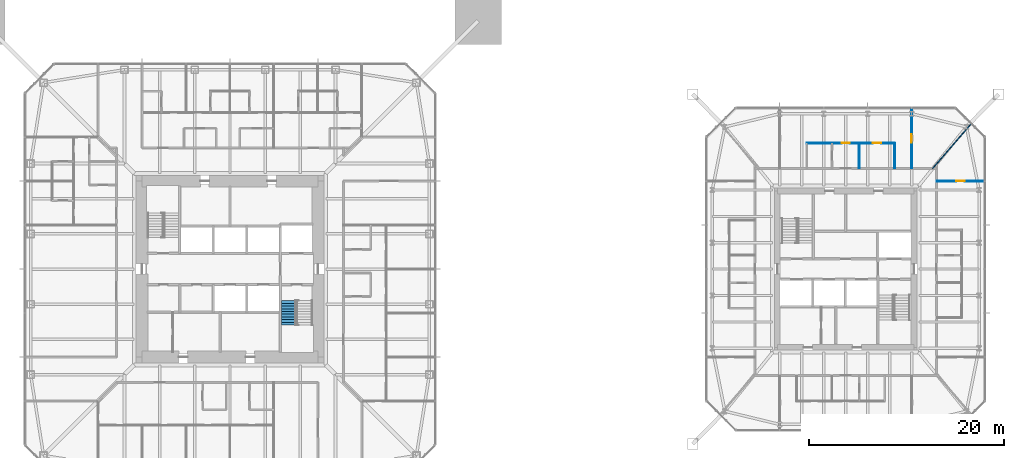
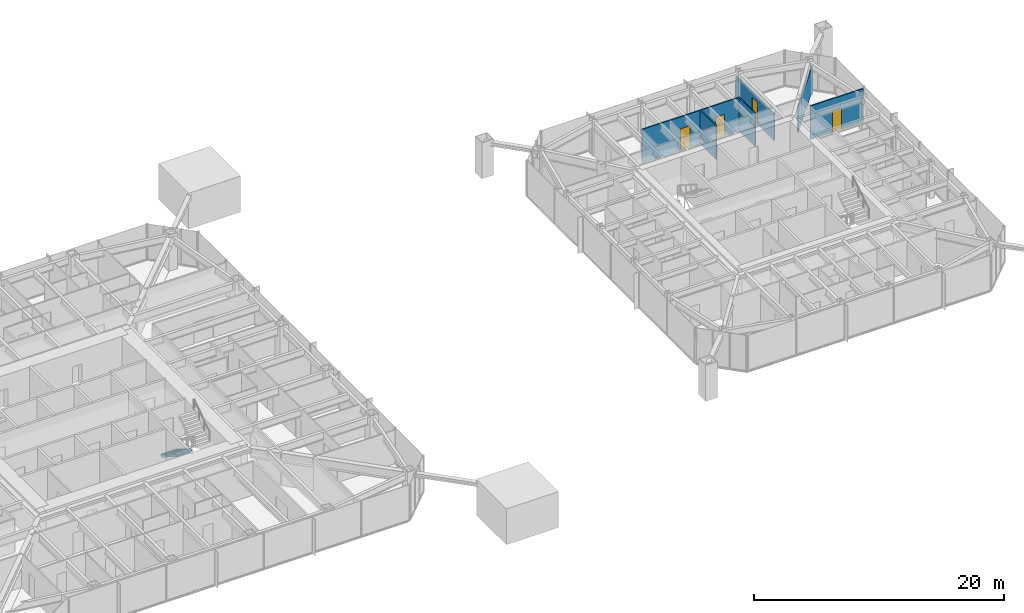
# One storey, part 19 of 25: 6 walls, 4 doors, 1 stair flight, 4 openings, 1 element without a shape of its own.
"""IFC4 building model written with IfcOpenShell, lengths in metres."""

from ifc_helpers import new_model, si_unit, direction, frame, frame_2d, origin, place, context, subcontext, project, spatial, polyline, rectangle, outline, extrude, material, layer, layer_set, constituent, constituent_set, type_object, element, fill, aggregate, save


model = new_model("IFC4")

# Units and contexts
model_context = context("Model", 3, precision=1e-05, world=origin(), true_north=direction((0.0, 1.0)))
body_context = subcontext(model_context, "Body", "Model", "MODEL_VIEW")
ifc_project = project(units=[si_unit("LENGTHUNIT", "METRE"), si_unit("AREAUNIT", "SQUARE_METRE"), si_unit("VOLUMEUNIT", "CUBIC_METRE"), si_unit("PLANEANGLEUNIT", "RADIAN"), si_unit("MASSUNIT", "GRAM", prefix="KILO")], contexts=[model_context])

# Site, building, storey
site_placement = place(None, origin())
site = spatial("IfcSite", under=ifc_project, at=site_placement, CompositionType="ELEMENT")
building_placement = place(site_placement, origin())
building = spatial("IfcBuilding", under=site, at=building_placement, Name="Iwan Alto Co-Living Towers", CompositionType="ELEMENT")
storey_placement = place(building_placement, frame((0.0, 0.0, 119.0)))
storey = spatial("IfcBuildingStorey", under=building, at=storey_placement, Name="L32", CompositionType="ELEMENT", Elevation=119.0)

# Wall, opening, door
ifc_material_1 = material(Name="Gypsum board")
ifc_layer_1 = layer(ifc_material_1, 0.012451171875, Name="Board", Category="Finish")
ifc_material_2 = material(Name="Steel ASTM A1003 ST33H cold-formed studs", Category="steel")
ifc_layer_2 = layer(ifc_material_2, 0.074951171875, Name="Studs", Category="Framing")
ifc_layer_3 = layer(ifc_material_1, 0.012451171875, Name="Board", Category="Finish")
ifc_layer_set = layer_set([ifc_layer_1, ifc_layer_2, ifc_layer_3], Name="PARTITION 100")
wall_type = type_object("IfcWallType", Name="PARTITION 100", PredefinedType="PARTITIONING", material=ifc_layer_set)
wall_1_placement = place(storey_placement, frame((72.300048828125, 9.0, 0.0), z_axis=(0.0, 0.0, 1.0), x_axis=(1.0, 0.0, 0.0)))
wall_1 = element("IfcWall", 1, at=wall_1_placement, inside=storey, type_object=wall_type, Name="Partition L32", PredefinedType="PARTITIONING", context=body_context, shape_type="SweptSolid", body=[
    extrude(rectangle(XDim=4.889892578125, YDim=0.10009765625, at=frame_2d((2.44482421875, 0.0))), origin(), (0.0, 0.0, 1.0), 3.27001953125),
])
opening_1_placement = place(wall_1_placement, frame((2.02001953125, 0.0, 0.0)))
opening_1 = element("IfcOpeningElement", 2, at=opening_1_placement, cuts=wall_1, Name="Opening D2", PredefinedType="OPENING", context=body_context, shape_type="SweptSolid", body=[
    extrude(rectangle(XDim=0.85009765625, YDim=2.10009765625, at=frame_2d((0.425048828125, 1.050048828125))), frame((0.0, 0.06005859375, 0.0), z_axis=(0.0, -1.0, 0.0), x_axis=(1.0, 0.0, 0.0)), (0.0, 0.0, 1.0), 0.1201171875),
])
ifc_material_3 = material(Name="Timber leaf in steel frame", Category="steel")
door_type = type_object("IfcDoorType", Name="ROOM DOOR 850X2100", OperationType="SINGLE_SWING_LEFT", PredefinedType="DOOR", material=ifc_material_3)
door_1_placement = place(opening_1_placement, frame((0.85009765625, 0.0, 0.0), z_axis=(0.0, 0.0, 1.0), x_axis=(-1.0, 0.0, 0.0)))
door_1 = element("IfcDoor", 3, at=door_1_placement, inside=storey, type_object=door_type, Name="Bedroom door L32", OperationType="SINGLE_SWING_RIGHT", OverallHeight=2.10009765625, OverallWidth=0.85009765625, PredefinedType="DOOR", context=body_context, shape_type="SweptSolid", body=[
    extrude(rectangle(XDim=0.85009765625, YDim=2.10009765625, at=frame_2d((0.425048828125, 1.050048828125))), frame((0.0, 0.02490234375, 0.0), z_axis=(0.0, -1.0, 0.0), x_axis=(1.0, 0.0, 0.0)), (0.0, 0.0, 1.0), 0.050048828125),
])
fill(opening_1, door_1)

# Wall, openings, doors
wall_2_placement = place(storey_placement, frame((59.0, 12.89990234375, 0.0), z_axis=(0.0, 0.0, 1.0), x_axis=(1.0, 0.0, 0.0)))
wall_2 = element("IfcWall", 4, at=wall_2_placement, inside=storey, type_object=wall_type, Name="Partition L32", PredefinedType="PARTITIONING", context=body_context, shape_type="SweptSolid", body=[
    extrude(rectangle(XDim=9.0, YDim=0.10009765625, at=frame_2d((4.5, 0.0))), origin(), (0.0, 0.0, 1.0), 3.27001953125),
])
opening_2_placement = place(wall_2_placement, frame((6.77490234375, 0.0, 0.0)))
opening_2 = element("IfcOpeningElement", 5, at=opening_2_placement, cuts=wall_2, Name="Opening D2", PredefinedType="OPENING", context=body_context, shape_type="SweptSolid", body=[
    extrude(rectangle(XDim=0.85009765625, YDim=2.10009765625, at=frame_2d((0.425048828125, 1.050048828125))), frame((0.0, 0.06005859375, 0.0), z_axis=(0.0, -1.0, 0.0), x_axis=(1.0, 0.0, 0.0)), (0.0, 0.0, 1.0), 0.1201171875),
])
opening_3_placement = place(wall_2_placement, frame((3.574951171875, 0.0, 0.0)))
opening_3 = element("IfcOpeningElement", 6, at=opening_3_placement, cuts=wall_2, Name="Opening D2", PredefinedType="OPENING", context=body_context, shape_type="SweptSolid", body=[
    extrude(rectangle(XDim=0.85009765625, YDim=2.10009765625, at=frame_2d((0.425048828125, 1.050048828125))), frame((0.0, 0.06005859375, 0.0), z_axis=(0.0, -1.0, 0.0), x_axis=(1.0, 0.0, 0.0)), (0.0, 0.0, 1.0), 0.1201171875),
])
door_2_placement = place(opening_2_placement, origin())
door_2 = element("IfcDoor", 7, at=door_2_placement, inside=storey, type_object=door_type, Name="Kitchen door L32", OperationType="SINGLE_SWING_RIGHT", OverallHeight=2.10009765625, OverallWidth=0.85009765625, PredefinedType="DOOR", context=body_context, shape_type="SweptSolid", body=[
    extrude(rectangle(XDim=0.85009765625, YDim=2.10009765625, at=frame_2d((0.425048828125, 1.050048828125))), frame((0.0, 0.02490234375, 0.0), z_axis=(0.0, -1.0, 0.0), x_axis=(1.0, 0.0, 0.0)), (0.0, 0.0, 1.0), 0.050048828125),
])
fill(opening_2, door_2)
door_3_placement = place(opening_3_placement, origin())
door_3 = element("IfcDoor", 8, at=door_3_placement, inside=storey, type_object=door_type, Name="Apartment foyer door L32", OperationType="SINGLE_SWING_LEFT", OverallHeight=2.10009765625, OverallWidth=0.85009765625, PredefinedType="DOOR", context=body_context, shape_type="SweptSolid", body=[
    extrude(rectangle(XDim=0.85009765625, YDim=2.10009765625, at=frame_2d((0.425048828125, 1.050048828125))), frame((0.0, 0.02490234375, 0.0), z_axis=(0.0, -1.0, 0.0), x_axis=(1.0, 0.0, 0.0)), (0.0, 0.0, 1.0), 0.050048828125),
])
fill(opening_3, door_3)

# Wall
wall_3_placement = place(storey_placement, frame((71.89501953125, 10.300048828125, 0.0), z_axis=(0.0, 0.0, 1.0), x_axis=(0.65378286253, 0.756682211144, 0.0)))
element("IfcWall", 9, at=wall_3_placement, inside=storey, type_object=wall_type, Name="Partition L32", PredefinedType="PARTITIONING", context=body_context, shape_type="SweptSolid", body=[
    extrude(rectangle(XDim=6.005126953125, YDim=0.10009765625, at=frame_2d((3.00244140625, 0.0))), origin(), (0.0, 0.0, 1.0), 2.42919921875),
])

# Wall, opening, door
wall_4_placement = place(storey_placement, frame((69.75, 10.300048828125, 0.0), z_axis=(0.0, 0.0, 1.0), x_axis=(0.0, 1.0, 0.0)))
wall_4 = element("IfcWall", 10, at=wall_4_placement, inside=storey, type_object=wall_type, Name="Partition L32", PredefinedType="PARTITIONING", context=body_context, shape_type="SweptSolid", body=[
    extrude(rectangle(XDim=6.139892578125, YDim=0.10009765625, at=frame_2d((3.06982421875, 0.0))), origin(), (0.0, 0.0, 1.0), 2.586669921875),
])
opening_4_placement = place(wall_4_placement, frame((2.64501953125, 0.0, 0.0)))
opening_4 = element("IfcOpeningElement", 11, at=opening_4_placement, cuts=wall_4, Name="Opening D2", PredefinedType="OPENING", context=body_context, shape_type="SweptSolid", body=[
    extrude(rectangle(XDim=0.85009765625, YDim=2.10009765625, at=frame_2d((0.425048828125, 1.050048828125))), frame((0.0, 0.06005859375, 0.0), z_axis=(0.0, -1.0, 0.0), x_axis=(1.0, 0.0, 0.0)), (0.0, 0.0, 1.0), 0.1201171875),
])
door_4_placement = place(opening_4_placement, origin())
door_4 = element("IfcDoor", 12, at=door_4_placement, inside=storey, type_object=door_type, Name="Study door L32", OperationType="SINGLE_SWING_LEFT", OverallHeight=2.10009765625, OverallWidth=0.85009765625, PredefinedType="DOOR", context=body_context, shape_type="SweptSolid", body=[
    extrude(rectangle(XDim=0.85009765625, YDim=2.10009765625, at=frame_2d((0.425048828125, 1.050048828125))), frame((0.0, 0.02490234375, 0.0), z_axis=(0.0, -1.0, 0.0), x_axis=(1.0, 0.0, 0.0)), (0.0, 0.0, 1.0), 0.050048828125),
])
fill(opening_4, door_4)

# Walls
for number, where, z_axis, x_axis, name in (
    (13, (68.0, 10.300048828125, 0.0), (0.0, 0.0, 1.0), (0.0, 1.0, 0.0), "Partition L32"),
    (14, (64.39990234375, 10.300048828125, 0.0), (0.0, 0.0, 1.0), (0.0, 1.0, 0.0), "Partition L32"),
):
    element("IfcWall", number, at=place(storey_placement, frame(where, z_axis=z_axis, x_axis=x_axis)), inside=storey, type_object=wall_type, Name=name, PredefinedType="PARTITIONING", context=body_context, shape_type="SweptSolid", body=[
        extrude(rectangle(XDim=2.599853515625, YDim=0.10009765625, at=frame_2d((1.2998046875, 0.0))), origin(), (0.0, 0.0, 1.0), 3.27001953125),
    ])

# Stair, stair flight
ifc_material_4 = material(Name="Steel ASTM A36", Category="steel")
ifc_constituent_1 = constituent(ifc_material_4, Name="Stringers", Category="LoadBearing")
ifc_material_5 = material(Name="Concrete f'c 30 MPa", Category="concrete")
ifc_constituent_2 = constituent(ifc_material_5, Name="Tread fill", Category="Finish")
ifc_constituent_set_1 = constituent_set(constituents=[ifc_constituent_1, ifc_constituent_2], Name="STAIR 3500 TWO-FLIGHT T1 CORE")
stair_type = type_object("IfcStairType", Name="STAIR 3500 TWO-FLIGHT T1 CORE", PredefinedType="HALF_TURN_STAIR", material=ifc_constituent_set_1)
stair_placement = place(storey_placement, origin())
stair = element("IfcStair", 15, at=stair_placement, inside=storey, type_object=stair_type, Name="Stair T1-S2 L32 to L33", PredefinedType="HALF_TURN_STAIR")
ifc_constituent_3 = constituent(ifc_material_4, Name="Stringers", Category="LoadBearing")
ifc_constituent_4 = constituent(ifc_material_5, Name="Tread fill", Category="Finish")
ifc_constituent_set_2 = constituent_set(constituents=[ifc_constituent_3, ifc_constituent_4], Name="STAIR FLIGHT 10 RISERS 280 GOING")
stair_flight_type = type_object("IfcStairFlightType", Name="STAIR FLIGHT 10 RISERS 280 GOING", PredefinedType="STRAIGHT", material=ifc_constituent_set_2)
stair_flight_placement = place(storey_placement, frame((6.010009765625, -3.219970703125, 0.0), z_axis=(0.0, 0.0, 1.0), x_axis=(0.0, -1.0, 0.0)))
stair_flight = element("IfcStairFlight", 16, at=stair_flight_placement, type_object=stair_flight_type, Name="T1-S2 flight 1", NumberOfRisers=10, NumberOfTreads=9, PredefinedType="STRAIGHT", RiserHeight=0.175, TreadLength=0.28, context=body_context, shape_type="SweptSolid", body=[
    extrude(outline(polyline([(0.0, 0.0), (0.0, 0.175048828125), (0.280029296875, 0.175048828125), (0.280029296875, 0.35009765625), (0.56005859375, 0.35009765625), (0.56005859375, 0.52490234375), (0.840087890625, 0.52490234375), (0.840087890625, 0.699951171875), (1.1201171875, 0.699951171875), (1.1201171875, 0.875), (1.39990234375, 0.875), (1.39990234375, 1.050048828125), (1.679931640625, 1.050048828125), (1.679931640625, 1.22509765625), (1.9599609375, 1.22509765625), (1.9599609375, 1.39990234375), (2.239990234375, 1.39990234375), (2.239990234375, 1.574951171875), (2.52001953125, 1.574951171875), (2.52001953125, 1.75), (2.52001953125, 1.398193359375), (0.28271484375, 0.0), (0.0, 0.0)])), frame((0.0, 0.739990234375, 0.0), z_axis=(0.0, -1.0, 0.0), x_axis=(1.0, 0.0, 0.0)), (0.0, 0.0, 1.0), 1.47998046875),
])
aggregate(stair, [stair_flight])

save(model, "model.ifc")
